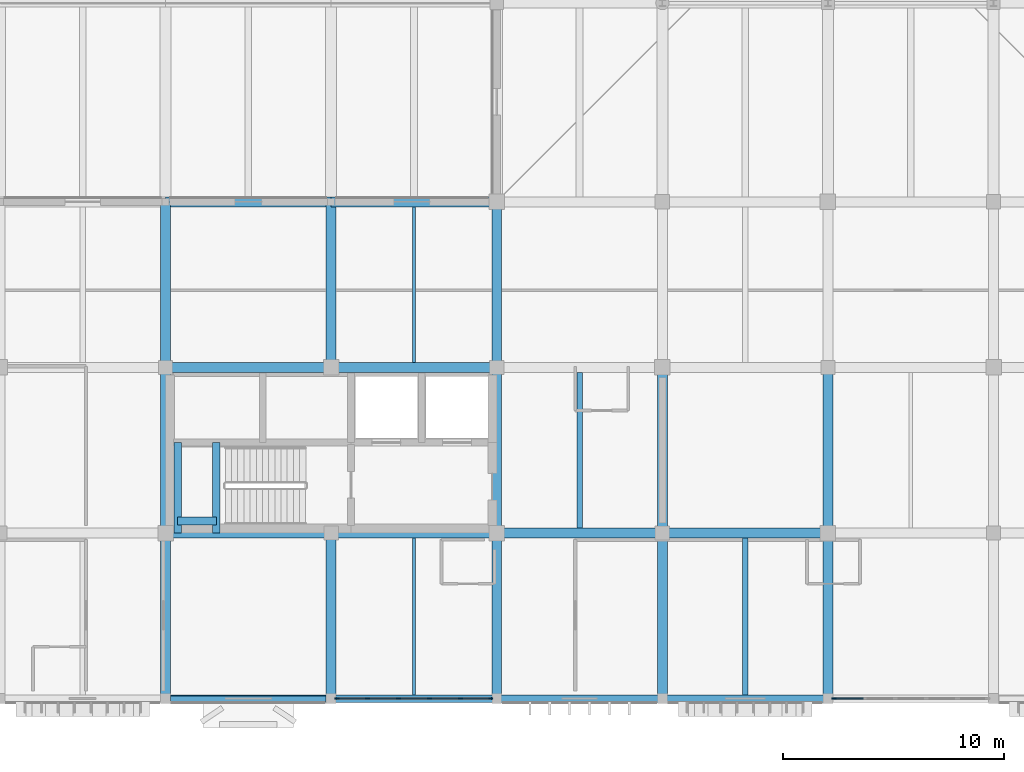
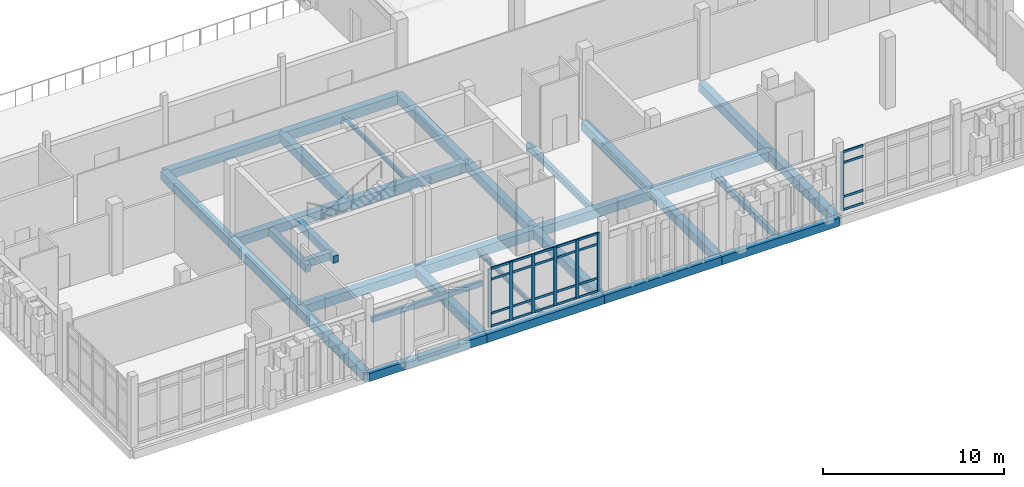
# One storey, part 63 of 131: 32 beams, 31 members, 2 elements without a shape of their own.
"""IFC4 building model written with IfcOpenShell, lengths in metres."""

from ifc_helpers import new_model, si_unit, direction, frame, origin, origin_2d, place, context, subcontext, project, spatial, rectangle, i_section, extrude, material, layer, layer_set, material_profile, profile_set, type_object, element, aggregate, save


model = new_model("IFC4")

# Units and contexts
model_context = context("Model", 3, precision=1e-05, world=origin(), true_north=direction((0.0, 1.0)))
body_context = subcontext(model_context, "Body", "Model", "MODEL_VIEW")
ifc_project = project(units=[si_unit("LENGTHUNIT", "METRE"), si_unit("AREAUNIT", "SQUARE_METRE"), si_unit("VOLUMEUNIT", "CUBIC_METRE"), si_unit("PLANEANGLEUNIT", "RADIAN"), si_unit("MASSUNIT", "GRAM", prefix="KILO")], contexts=[model_context])

# Site, building, storey
site_placement = place(None, origin())
site = spatial("IfcSite", under=ifc_project, at=site_placement, CompositionType="ELEMENT")
building_placement = place(site_placement, origin())
building = spatial("IfcBuilding", under=site, at=building_placement, Name="Dalvernix Boulevard General Hospital", CompositionType="ELEMENT")
storey_placement = place(building_placement, frame((0.0, 0.0, 9.300048828125)))
storey = spatial("IfcBuildingStorey", under=building, at=storey_placement, Name="L02", CompositionType="ELEMENT", Elevation=9.300048828125)

# Beams
ifc_material_1 = material(Name="Concrete C35/45", Category="concrete")
ifc_material_profile_1 = material_profile(ifc_material_1, rectangle(XDim=0.449951171875, YDim=0.64990234375, at=origin_2d()), Name="RCB 450x650")
ifc_profile_set_1 = profile_set([ifc_material_profile_1], Name="Concrete C35/45")
beam_type_1 = type_object("IfcBeamType", Name="BM-B-03-I", PredefinedType="BEAM", material=ifc_profile_set_1)
for number, where, z_axis, x_axis, name in (
    (1, (135.0, 7.5, -0.64501953125), (1.0, 0.0, 0.0), (0.0, 1.0, 0.0), "L02 E-W girder B:19-20"),
    (2, (150.0, 7.5, -0.64501953125), (1.0, 0.0, 0.0), (0.0, 1.0, 0.0), "L02 E-W girder B:21-22"),
    (3, (135.0, 15.0, -0.64501953125), (1.0, 0.0, 0.0), (0.0, 1.0, 0.0), "L02 E-W girder C:19-20"),
    (4, (135.0, 22.5, -0.64501953125), (1.0, 0.0, 0.0), (0.0, 1.0, 0.0), "L02 E-W girder D:19-20"),
):
    element("IfcBeam", number, at=place(storey_placement, frame(where, z_axis=z_axis, x_axis=x_axis)), inside=storey, type_object=beam_type_1, Name=name, PredefinedType="BEAM", context=body_context, shape_type="SweptSolid", body=[
        extrude(rectangle(XDim=0.449951171875, YDim=0.64990234375, at=origin_2d()), origin(), (0.0, 0.0, 1.0), 7.5),
    ])
ifc_material_profile_2 = material_profile(ifc_material_1, rectangle(XDim=0.449951171875, YDim=0.60009765625, at=origin_2d()), Name="RCB 450x600")
ifc_profile_set_2 = profile_set([ifc_material_profile_2], Name="Concrete C35/45")
beam_type_2 = type_object("IfcBeamType", Name="BM-B-04-I", PredefinedType="BEAM", material=ifc_profile_set_2)
for number, where, z_axis, x_axis, name in (
    (5, (127.5, 7.5, -0.6201171875), (1.0, 0.0, 0.0), (0.0, 1.0, 0.0), "L02 E-W girder B:18-19"),
    (6, (142.5, 7.5, -0.6201171875), (1.0, 0.0, 0.0), (0.0, 1.0, 0.0), "L02 E-W girder B:20-21"),
    (7, (127.5, 15.0, -0.6201171875), (1.0, 0.0, 0.0), (0.0, 1.0, 0.0), "L02 E-W girder C:18-19"),
    (8, (127.5, 22.5, -0.6201171875), (1.0, 0.0, 0.0), (0.0, 1.0, 0.0), "L02 E-W girder D:18-19"),
    (9, (127.5, 0.0, -0.6201171875), (0.0, 1.0, 0.0), (-1.0, 0.0, 0.0), "L02 N-S girder 18:A-B"),
    (10, (127.5, 7.5, -0.6201171875), (0.0, 1.0, 0.0), (-1.0, 0.0, 0.0), "L02 N-S girder 18:B-C"),
    (11, (127.5, 15.0, -0.6201171875), (0.0, 1.0, 0.0), (-1.0, 0.0, 0.0), "L02 N-S girder 18:C-D"),
    (12, (135.0, 0.0, -0.6201171875), (0.0, 1.0, 0.0), (-1.0, 0.0, 0.0), "L02 N-S girder 19:A-B"),
    (13, (135.0, 15.0, -0.6201171875), (0.0, 1.0, 0.0), (-1.0, 0.0, 0.0), "L02 N-S girder 19:C-D"),
    (14, (142.5, 0.0, -0.6201171875), (0.0, 1.0, 0.0), (-1.0, 0.0, 0.0), "L02 N-S girder 20:A-B"),
    (15, (142.5, 7.5, -0.6201171875), (0.0, 1.0, 0.0), (-1.0, 0.0, 0.0), "L02 N-S girder 20:B-C"),
    (16, (142.5, 15.0, -0.6201171875), (0.0, 1.0, 0.0), (-1.0, 0.0, 0.0), "L02 N-S girder 20:C-D"),
    (17, (150.0, 0.0, -0.6201171875), (0.0, 1.0, 0.0), (-1.0, 0.0, 0.0), "L02 N-S girder 21:A-B"),
    (18, (150.0, 7.5, -0.6201171875), (0.0, 1.0, 0.0), (-1.0, 0.0, 0.0), "L02 N-S girder 21:B-C"),
    (19, (157.5, 0.0, -0.6201171875), (0.0, 1.0, 0.0), (-1.0, 0.0, 0.0), "L02 N-S girder 22:A-B"),
    (20, (157.5, 7.5, -0.6201171875), (0.0, 1.0, 0.0), (-1.0, 0.0, 0.0), "L02 N-S girder 22:B-C"),
):
    element("IfcBeam", number, at=place(storey_placement, frame(where, z_axis=z_axis, x_axis=x_axis)), inside=storey, type_object=beam_type_2, Name=name, PredefinedType="BEAM", context=body_context, shape_type="SweptSolid", body=[
        extrude(rectangle(XDim=0.449951171875, YDim=0.60009765625, at=origin_2d()), origin(), (0.0, 0.0, 1.0), 7.5),
    ])
ifc_material_profile_3 = material_profile(ifc_material_1, rectangle(XDim=0.35009765625, YDim=0.5, at=origin_2d()), Name="RCB 350x500")
ifc_profile_set_3 = profile_set([ifc_material_profile_3], Name="Concrete C35/45")
beam_type_3 = type_object("IfcBeamType", Name="BM-B-08", PredefinedType="BEAM", material=ifc_profile_set_3)
for number, where, z_axis, x_axis, name in (
    (21, (128.050048828125, 7.5, 1.949951171875), (0.0, 1.0, 0.0), (-1.0, 0.0, 0.0), "L02 C5 stair half-landing beam 1"),
    (22, (129.800048828125, 7.5, 1.949951171875), (0.0, 1.0, 0.0), (-1.0, 0.0, 0.0), "L02 C5 stair half-landing beam 2"),
):
    element("IfcBeam", number, at=place(storey_placement, frame(where, z_axis=z_axis, x_axis=x_axis)), inside=storey, type_object=beam_type_3, Name=name, PredefinedType="BEAM", context=body_context, shape_type="SweptSolid", body=[
        extrude(rectangle(XDim=0.35009765625, YDim=0.5, at=origin_2d()), origin(), (0.0, 0.0, 1.0), 4.10009765625),
    ])
beam_1_placement = place(storey_placement, frame((128.050048828125, 8.050048828125, 1.949951171875), z_axis=(1.0, 0.0, 0.0), x_axis=(0.0, 1.0, 0.0)))
element("IfcBeam", 23, at=beam_1_placement, inside=storey, type_object=beam_type_3, Name="L02 C5 stair half-landing tie beam", PredefinedType="BEAM", context=body_context, shape_type="SweptSolid", body=[
    extrude(rectangle(XDim=0.35009765625, YDim=0.5, at=origin_2d()), origin(), (0.0, 0.0, 1.0), 1.75),
])
ifc_material_profile_4 = material_profile(ifc_material_1, rectangle(XDim=0.25, YDim=0.39990234375, at=origin_2d()), Name="RCB 250x400")
ifc_profile_set_4 = profile_set([ifc_material_profile_4], Name="Concrete C35/45")
beam_type_4 = type_object("IfcBeamType", Name="BM-JB-02", PredefinedType="JOIST", material=ifc_profile_set_4)
beam_2_placement = place(storey_placement, frame((146.25, 7.72509765625, -0.52001953125), z_axis=(0.0, 1.0, 0.0), x_axis=(-1.0, 0.0, 0.0)))
element("IfcBeam", 24, at=beam_2_placement, inside=storey, type_object=beam_type_4, Name="L02 secondary floor beam 20-B", PredefinedType="JOIST", context=body_context, shape_type="SweptSolid", body=[
    extrude(rectangle(XDim=0.25, YDim=0.39990234375, at=origin_2d()), origin(), (0.0, 0.0, 1.0), 7.0498046875),
])
beam_3_placement = place(storey_placement, frame((153.75, 0.175048828125, -0.52001953125), z_axis=(0.0, 1.0, 0.0), x_axis=(-1.0, 0.0, 0.0)))
element("IfcBeam", 25, at=beam_3_placement, inside=storey, type_object=beam_type_4, Name="L02 secondary floor beam 21-A", PredefinedType="JOIST", context=body_context, shape_type="SweptSolid", body=[
    extrude(rectangle(XDim=0.25, YDim=0.39990234375, at=origin_2d()), origin(), (0.0, 0.0, 1.0), 7.099853515625),
])
ifc_material_2 = material(Name="Steel S355", Category="steel")
ifc_material_profile_5 = material_profile(ifc_material_2, i_section(OverallWidth=0.14990234375, OverallDepth=0.300048828125, WebThickness=0.007080078125, FlangeThickness=0.0107421875, FilletRadius=0.014892578125, at=origin_2d()), Name="IPE 300")
ifc_profile_set_5 = profile_set([ifc_material_profile_5], Name="Steel S355")
beam_type_5 = type_object("IfcBeamType", Name="BM-JB-03", PredefinedType="JOIST", material=ifc_profile_set_5)
beam_4_placement = place(storey_placement, frame((138.75, 0.175048828125, -0.469970703125), z_axis=(0.0, 1.0, 0.0), x_axis=(-1.0, 0.0, 0.0)))
element("IfcBeam", 26, at=beam_4_placement, inside=storey, type_object=beam_type_5, Name="L02 secondary floor beam 19-A", PredefinedType="JOIST", context=body_context, shape_type="SweptSolid", body=[
    extrude(i_section(OverallWidth=0.14990234375, OverallDepth=0.300048828125, WebThickness=0.007080078125, FlangeThickness=0.0107421875, FilletRadius=0.014892578125, at=origin_2d()), origin(), (0.0, 0.0, 1.0), 7.099853515625),
])
beam_5_placement = place(storey_placement, frame((138.75, 15.22509765625, -0.469970703125), z_axis=(0.0, 1.0, 0.0), x_axis=(-1.0, 0.0, 0.0)))
element("IfcBeam", 27, at=beam_5_placement, inside=storey, type_object=beam_type_5, Name="L02 secondary floor beam 19-C", PredefinedType="JOIST", context=body_context, shape_type="SweptSolid", body=[
    extrude(i_section(OverallWidth=0.14990234375, OverallDepth=0.300048828125, WebThickness=0.007080078125, FlangeThickness=0.0107421875, FilletRadius=0.014892578125, at=origin_2d()), origin(), (0.0, 0.0, 1.0), 7.0498046875),
])
ifc_material_3 = material(Name="Precast concrete C40/50", Category="concrete")
ifc_material_profile_6 = material_profile(ifc_material_3, rectangle(XDim=0.25, YDim=0.320068359375, at=origin_2d()), Name="RCL 250x320")
ifc_profile_set_6 = profile_set([ifc_material_profile_6], Name="Precast concrete C40/50")
beam_type_6 = type_object("IfcBeamType", Name="BM-LB-01", PredefinedType="LINTEL", material=ifc_profile_set_6)
beam_6_placement = place(storey_placement, frame((134.764892578125, 0.0, 3.159912109375), z_axis=(-1.0, 0.0, 0.0), x_axis=(0.0, -1.0, 0.0)))
element("IfcBeam", 28, at=beam_6_placement, inside=storey, type_object=beam_type_6, Name="L02 precast window lintel S 17-0", PredefinedType="LINTEL", context=body_context, shape_type="SweptSolid", body=[
    extrude(rectangle(XDim=0.25, YDim=0.320068359375, at=origin_2d()), origin(), (0.0, 0.0, 1.0), 7.02978515625),
])
ifc_material_profile_7 = material_profile(ifc_material_1, rectangle(XDim=0.35009765625, YDim=0.550048828125, at=origin_2d()), Name="RCB 350x550")
ifc_profile_set_7 = profile_set([ifc_material_profile_7], Name="Concrete C35/45")
beam_type_7 = type_object("IfcBeamType", Name="BM-SB-01-E", PredefinedType="SPANDREL", material=ifc_profile_set_7)
for number, where, z_axis, x_axis, name in (
    (29, (127.5, 0.0, -0.594970703125), (1.0, 0.0, 0.0), (0.0, 1.0, 0.0), "L02 E-W girder A:18-19"),
    (30, (135.0, 0.0, -0.594970703125), (1.0, 0.0, 0.0), (0.0, 1.0, 0.0), "L02 E-W girder A:19-20"),
    (31, (142.5, 0.0, -0.594970703125), (1.0, 0.0, 0.0), (0.0, 1.0, 0.0), "L02 E-W girder A:20-21"),
    (32, (150.0, 0.0, -0.594970703125), (1.0, 0.0, 0.0), (0.0, 1.0, 0.0), "L02 E-W girder A:21-22"),
):
    element("IfcBeam", number, at=place(storey_placement, frame(where, z_axis=z_axis, x_axis=x_axis)), inside=storey, type_object=beam_type_7, Name=name, PredefinedType="SPANDREL", context=body_context, shape_type="SweptSolid", body=[
        extrude(rectangle(XDim=0.35009765625, YDim=0.550048828125, at=origin_2d()), origin(), (0.0, 0.0, 1.0), 7.5),
    ])

# Curtain wall, members
ifc_material_4 = material(Name="Thermally broken aluminium and solar-control glass curtain wall", Category="aluminium")
ifc_layer = layer(ifc_material_4, 0.199951171875)
ifc_layer_set = layer_set([ifc_layer], Name="Thermally broken aluminium and solar-control glass curtain wall (CW-CW-C-70x40)")
curtain_wall_type = type_object("IfcCurtainWallType", Name="CW-CW-C-70x40", PredefinedType="USERDEFINED", material=ifc_layer_set)
curtain_wall_1_placement = place(storey_placement, origin())
curtain_wall_1 = element("IfcCurtainWall", 33, at=curtain_wall_1_placement, inside=storey, type_object=curtain_wall_type, Name="L02 curtain wall CW-C-70x40 18-0", ObjectType="GLAZED FACADE", PredefinedType="USERDEFINED")
ifc_material_5 = material(Name="Aluminium EN AW-6060", Category="aluminium")
ifc_material_profile_8 = material_profile(ifc_material_5, rectangle(XDim=0.070068359375, YDim=0.199951171875, at=origin_2d()), Name="ALU MULL 70x200")
ifc_profile_set_8 = profile_set([ifc_material_profile_8], Name="Aluminium EN AW-6060")
member_type_1 = type_object("IfcMemberType", Name="MEM-CW-M3", PredefinedType="MULLION", material=ifc_profile_set_8)
member_1_placement = place(storey_placement, frame((142.22998046875, 0.0, 0.0), z_axis=(0.0, 0.0, 1.0), x_axis=(0.0, -1.0, 0.0)))
member_1 = element("IfcMember", 34, at=member_1_placement, type_object=member_type_1, Name="CW-C-70x40 mullion 1", PredefinedType="MULLION", context=body_context, shape_type="SweptSolid", body=[
    extrude(rectangle(XDim=0.070068359375, YDim=0.199951171875, at=origin_2d()), origin(), (0.0, 0.0, 1.0), 3.949951171875),
])
member_2_placement = place(storey_placement, frame((140.85888671875, 0.0, 0.0), z_axis=(0.0, 0.0, 1.0), x_axis=(0.0, -1.0, 0.0)))
member_2 = element("IfcMember", 35, at=member_2_placement, type_object=member_type_1, Name="CW-C-70x40 mullion 2", PredefinedType="MULLION", context=body_context, shape_type="SweptSolid", body=[
    extrude(rectangle(XDim=0.070068359375, YDim=0.199951171875, at=origin_2d()), origin(), (0.0, 0.0, 1.0), 3.949951171875),
])
member_3_placement = place(storey_placement, frame((139.452880859375, 0.0, 0.0), z_axis=(0.0, 0.0, 1.0), x_axis=(0.0, -1.0, 0.0)))
member_3 = element("IfcMember", 36, at=member_3_placement, type_object=member_type_1, Name="CW-C-70x40 mullion 3", PredefinedType="MULLION", context=body_context, shape_type="SweptSolid", body=[
    extrude(rectangle(XDim=0.070068359375, YDim=0.199951171875, at=origin_2d()), origin(), (0.0, 0.0, 1.0), 3.949951171875),
])
member_4_placement = place(storey_placement, frame((138.047119140625, 0.0, 0.0), z_axis=(0.0, 0.0, 1.0), x_axis=(0.0, -1.0, 0.0)))
member_4 = element("IfcMember", 37, at=member_4_placement, type_object=member_type_1, Name="CW-C-70x40 mullion 4", PredefinedType="MULLION", context=body_context, shape_type="SweptSolid", body=[
    extrude(rectangle(XDim=0.070068359375, YDim=0.199951171875, at=origin_2d()), origin(), (0.0, 0.0, 1.0), 3.949951171875),
])
member_5_placement = place(storey_placement, frame((136.64111328125, 0.0, 0.0), z_axis=(0.0, 0.0, 1.0), x_axis=(0.0, -1.0, 0.0)))
member_5 = element("IfcMember", 38, at=member_5_placement, type_object=member_type_1, Name="CW-C-70x40 mullion 5", PredefinedType="MULLION", context=body_context, shape_type="SweptSolid", body=[
    extrude(rectangle(XDim=0.070068359375, YDim=0.199951171875, at=origin_2d()), origin(), (0.0, 0.0, 1.0), 3.949951171875),
])
member_6_placement = place(storey_placement, frame((135.27001953125, 0.0, 0.0), z_axis=(0.0, 0.0, 1.0), x_axis=(0.0, -1.0, 0.0)))
member_6 = element("IfcMember", 39, at=member_6_placement, type_object=member_type_1, Name="CW-C-70x40 mullion 6", PredefinedType="MULLION", context=body_context, shape_type="SweptSolid", body=[
    extrude(rectangle(XDim=0.070068359375, YDim=0.199951171875, at=origin_2d()), origin(), (0.0, 0.0, 1.0), 3.949951171875),
])

# Curtain wall, member
curtain_wall_2_placement = place(storey_placement, origin())
curtain_wall_2 = element("IfcCurtainWall", 40, at=curtain_wall_2_placement, inside=storey, type_object=curtain_wall_type, Name="L02 curtain wall CW-C-70x40 21-0", ObjectType="GLAZED FACADE", PredefinedType="USERDEFINED")
member_7_placement = place(storey_placement, frame((157.77001953125, 0.0, 0.0), z_axis=(0.0, 0.0, 1.0), x_axis=(0.0, -1.0, 0.0)))
member_7 = element("IfcMember", 41, at=member_7_placement, type_object=member_type_1, Name="CW-C-70x40 mullion 6", PredefinedType="MULLION", context=body_context, shape_type="SweptSolid", body=[
    extrude(rectangle(XDim=0.070068359375, YDim=0.199951171875, at=origin_2d()), origin(), (0.0, 0.0, 1.0), 3.949951171875),
])

# Member
ifc_material_profile_9 = material_profile(ifc_material_5, rectangle(XDim=0.070068359375, YDim=0.14990234375, at=origin_2d()), Name="ALU TRAN 70x150")
ifc_profile_set_9 = profile_set([ifc_material_profile_9], Name="Aluminium EN AW-6060")
member_type_2 = type_object("IfcMemberType", Name="MEM-CW-T3", PredefinedType="USERDEFINED", material=ifc_profile_set_9)
member_8_placement = place(storey_placement, frame((142.195068359375, 0.0, 0.034912109375), z_axis=(-1.0, 0.0, 0.0), x_axis=(0.0, -1.0, 0.0)))
member_8 = element("IfcMember", 42, at=member_8_placement, type_object=member_type_2, Name="CW-C-70x40 transom 1.1", ObjectType="TRANSOM", PredefinedType="USERDEFINED", context=body_context, shape_type="SweptSolid", body=[
    extrude(rectangle(XDim=0.070068359375, YDim=0.14990234375, at=origin_2d()), origin(), (0.0, 0.0, 1.0), 1.301025390625),
])

member_9_placement = place(storey_placement, frame((142.195068359375, 0.0, 0.89990234375), z_axis=(-1.0, 0.0, 0.0), x_axis=(0.0, -1.0, 0.0)))
member_9 = element("IfcMember", 43, at=member_9_placement, type_object=member_type_2, Name="CW-C-70x40 transom 1.2", ObjectType="TRANSOM", PredefinedType="USERDEFINED", context=body_context, shape_type="SweptSolid", body=[
    extrude(rectangle(XDim=0.070068359375, YDim=0.14990234375, at=origin_2d()), origin(), (0.0, 0.0, 1.0), 1.301025390625),
])

member_10_placement = place(storey_placement, frame((142.195068359375, 0.0, 3.199951171875), z_axis=(-1.0, 0.0, 0.0), x_axis=(0.0, -1.0, 0.0)))
member_10 = element("IfcMember", 44, at=member_10_placement, type_object=member_type_2, Name="CW-C-70x40 transom 1.3", ObjectType="TRANSOM", PredefinedType="USERDEFINED", context=body_context, shape_type="SweptSolid", body=[
    extrude(rectangle(XDim=0.070068359375, YDim=0.14990234375, at=origin_2d()), origin(), (0.0, 0.0, 1.0), 1.301025390625),
])

member_11_placement = place(storey_placement, frame((142.195068359375, 0.0, 3.9150390625), z_axis=(-1.0, 0.0, 0.0), x_axis=(0.0, -1.0, 0.0)))
member_11 = element("IfcMember", 45, at=member_11_placement, type_object=member_type_2, Name="CW-C-70x40 transom 1.4", ObjectType="TRANSOM", PredefinedType="USERDEFINED", context=body_context, shape_type="SweptSolid", body=[
    extrude(rectangle(XDim=0.070068359375, YDim=0.14990234375, at=origin_2d()), origin(), (0.0, 0.0, 1.0), 1.301025390625),
])

member_12_placement = place(storey_placement, frame((140.823974609375, 0.0, 0.034912109375), z_axis=(-1.0, 0.0, 0.0), x_axis=(0.0, -1.0, 0.0)))
member_12 = element("IfcMember", 46, at=member_12_placement, type_object=member_type_2, Name="CW-C-70x40 transom 2.1", ObjectType="TRANSOM", PredefinedType="USERDEFINED", context=body_context, shape_type="SweptSolid", body=[
    extrude(rectangle(XDim=0.070068359375, YDim=0.14990234375, at=origin_2d()), origin(), (0.0, 0.0, 1.0), 1.3359375),
])

member_13_placement = place(storey_placement, frame((140.823974609375, 0.0, 0.89990234375), z_axis=(-1.0, 0.0, 0.0), x_axis=(0.0, -1.0, 0.0)))
member_13 = element("IfcMember", 47, at=member_13_placement, type_object=member_type_2, Name="CW-C-70x40 transom 2.2", ObjectType="TRANSOM", PredefinedType="USERDEFINED", context=body_context, shape_type="SweptSolid", body=[
    extrude(rectangle(XDim=0.070068359375, YDim=0.14990234375, at=origin_2d()), origin(), (0.0, 0.0, 1.0), 1.3359375),
])

member_14_placement = place(storey_placement, frame((140.823974609375, 0.0, 3.199951171875), z_axis=(-1.0, 0.0, 0.0), x_axis=(0.0, -1.0, 0.0)))
member_14 = element("IfcMember", 48, at=member_14_placement, type_object=member_type_2, Name="CW-C-70x40 transom 2.3", ObjectType="TRANSOM", PredefinedType="USERDEFINED", context=body_context, shape_type="SweptSolid", body=[
    extrude(rectangle(XDim=0.070068359375, YDim=0.14990234375, at=origin_2d()), origin(), (0.0, 0.0, 1.0), 1.3359375),
])

member_15_placement = place(storey_placement, frame((140.823974609375, 0.0, 3.9150390625), z_axis=(-1.0, 0.0, 0.0), x_axis=(0.0, -1.0, 0.0)))
member_15 = element("IfcMember", 49, at=member_15_placement, type_object=member_type_2, Name="CW-C-70x40 transom 2.4", ObjectType="TRANSOM", PredefinedType="USERDEFINED", context=body_context, shape_type="SweptSolid", body=[
    extrude(rectangle(XDim=0.070068359375, YDim=0.14990234375, at=origin_2d()), origin(), (0.0, 0.0, 1.0), 1.3359375),
])

member_16_placement = place(storey_placement, frame((139.41796875, 0.0, 0.034912109375), z_axis=(-1.0, 0.0, 0.0), x_axis=(0.0, -1.0, 0.0)))
member_16 = element("IfcMember", 50, at=member_16_placement, type_object=member_type_2, Name="CW-C-70x40 transom 3.1", ObjectType="TRANSOM", PredefinedType="USERDEFINED", context=body_context, shape_type="SweptSolid", body=[
    extrude(rectangle(XDim=0.070068359375, YDim=0.14990234375, at=origin_2d()), origin(), (0.0, 0.0, 1.0), 1.3359375),
])

member_17_placement = place(storey_placement, frame((139.41796875, 0.0, 0.89990234375), z_axis=(-1.0, 0.0, 0.0), x_axis=(0.0, -1.0, 0.0)))
member_17 = element("IfcMember", 51, at=member_17_placement, type_object=member_type_2, Name="CW-C-70x40 transom 3.2", ObjectType="TRANSOM", PredefinedType="USERDEFINED", context=body_context, shape_type="SweptSolid", body=[
    extrude(rectangle(XDim=0.070068359375, YDim=0.14990234375, at=origin_2d()), origin(), (0.0, 0.0, 1.0), 1.3359375),
])

member_18_placement = place(storey_placement, frame((139.41796875, 0.0, 3.199951171875), z_axis=(-1.0, 0.0, 0.0), x_axis=(0.0, -1.0, 0.0)))
member_18 = element("IfcMember", 52, at=member_18_placement, type_object=member_type_2, Name="CW-C-70x40 transom 3.3", ObjectType="TRANSOM", PredefinedType="USERDEFINED", context=body_context, shape_type="SweptSolid", body=[
    extrude(rectangle(XDim=0.070068359375, YDim=0.14990234375, at=origin_2d()), origin(), (0.0, 0.0, 1.0), 1.3359375),
])

member_19_placement = place(storey_placement, frame((139.41796875, 0.0, 3.9150390625), z_axis=(-1.0, 0.0, 0.0), x_axis=(0.0, -1.0, 0.0)))
member_19 = element("IfcMember", 53, at=member_19_placement, type_object=member_type_2, Name="CW-C-70x40 transom 3.4", ObjectType="TRANSOM", PredefinedType="USERDEFINED", context=body_context, shape_type="SweptSolid", body=[
    extrude(rectangle(XDim=0.070068359375, YDim=0.14990234375, at=origin_2d()), origin(), (0.0, 0.0, 1.0), 1.3359375),
])

member_20_placement = place(storey_placement, frame((138.011962890625, 0.0, 0.034912109375), z_axis=(-1.0, 0.0, 0.0), x_axis=(0.0, -1.0, 0.0)))
member_20 = element("IfcMember", 54, at=member_20_placement, type_object=member_type_2, Name="CW-C-70x40 transom 4.1", ObjectType="TRANSOM", PredefinedType="USERDEFINED", context=body_context, shape_type="SweptSolid", body=[
    extrude(rectangle(XDim=0.070068359375, YDim=0.14990234375, at=origin_2d()), origin(), (0.0, 0.0, 1.0), 1.3359375),
])

member_21_placement = place(storey_placement, frame((138.011962890625, 0.0, 0.89990234375), z_axis=(-1.0, 0.0, 0.0), x_axis=(0.0, -1.0, 0.0)))
member_21 = element("IfcMember", 55, at=member_21_placement, type_object=member_type_2, Name="CW-C-70x40 transom 4.2", ObjectType="TRANSOM", PredefinedType="USERDEFINED", context=body_context, shape_type="SweptSolid", body=[
    extrude(rectangle(XDim=0.070068359375, YDim=0.14990234375, at=origin_2d()), origin(), (0.0, 0.0, 1.0), 1.3359375),
])

member_22_placement = place(storey_placement, frame((138.011962890625, 0.0, 3.199951171875), z_axis=(-1.0, 0.0, 0.0), x_axis=(0.0, -1.0, 0.0)))
member_22 = element("IfcMember", 56, at=member_22_placement, type_object=member_type_2, Name="CW-C-70x40 transom 4.3", ObjectType="TRANSOM", PredefinedType="USERDEFINED", context=body_context, shape_type="SweptSolid", body=[
    extrude(rectangle(XDim=0.070068359375, YDim=0.14990234375, at=origin_2d()), origin(), (0.0, 0.0, 1.0), 1.3359375),
])

member_23_placement = place(storey_placement, frame((138.011962890625, 0.0, 3.9150390625), z_axis=(-1.0, 0.0, 0.0), x_axis=(0.0, -1.0, 0.0)))
member_23 = element("IfcMember", 57, at=member_23_placement, type_object=member_type_2, Name="CW-C-70x40 transom 4.4", ObjectType="TRANSOM", PredefinedType="USERDEFINED", context=body_context, shape_type="SweptSolid", body=[
    extrude(rectangle(XDim=0.070068359375, YDim=0.14990234375, at=origin_2d()), origin(), (0.0, 0.0, 1.0), 1.3359375),
])

member_24_placement = place(storey_placement, frame((136.60595703125, 0.0, 0.034912109375), z_axis=(-1.0, 0.0, 0.0), x_axis=(0.0, -1.0, 0.0)))
member_24 = element("IfcMember", 58, at=member_24_placement, type_object=member_type_2, Name="CW-C-70x40 transom 5.1", ObjectType="TRANSOM", PredefinedType="USERDEFINED", context=body_context, shape_type="SweptSolid", body=[
    extrude(rectangle(XDim=0.070068359375, YDim=0.14990234375, at=origin_2d()), origin(), (0.0, 0.0, 1.0), 1.301025390625),
])

member_25_placement = place(storey_placement, frame((136.60595703125, 0.0, 0.89990234375), z_axis=(-1.0, 0.0, 0.0), x_axis=(0.0, -1.0, 0.0)))
member_25 = element("IfcMember", 59, at=member_25_placement, type_object=member_type_2, Name="CW-C-70x40 transom 5.2", ObjectType="TRANSOM", PredefinedType="USERDEFINED", context=body_context, shape_type="SweptSolid", body=[
    extrude(rectangle(XDim=0.070068359375, YDim=0.14990234375, at=origin_2d()), origin(), (0.0, 0.0, 1.0), 1.301025390625),
])

member_26_placement = place(storey_placement, frame((136.60595703125, 0.0, 3.199951171875), z_axis=(-1.0, 0.0, 0.0), x_axis=(0.0, -1.0, 0.0)))
member_26 = element("IfcMember", 60, at=member_26_placement, type_object=member_type_2, Name="CW-C-70x40 transom 5.3", ObjectType="TRANSOM", PredefinedType="USERDEFINED", context=body_context, shape_type="SweptSolid", body=[
    extrude(rectangle(XDim=0.070068359375, YDim=0.14990234375, at=origin_2d()), origin(), (0.0, 0.0, 1.0), 1.301025390625),
])

member_27_placement = place(storey_placement, frame((136.60595703125, 0.0, 3.9150390625), z_axis=(-1.0, 0.0, 0.0), x_axis=(0.0, -1.0, 0.0)))
member_27 = element("IfcMember", 61, at=member_27_placement, type_object=member_type_2, Name="CW-C-70x40 transom 5.4", ObjectType="TRANSOM", PredefinedType="USERDEFINED", context=body_context, shape_type="SweptSolid", body=[
    extrude(rectangle(XDim=0.070068359375, YDim=0.14990234375, at=origin_2d()), origin(), (0.0, 0.0, 1.0), 1.301025390625),
])

aggregate(curtain_wall_1, [member_1, member_2, member_3, member_4, member_5, member_6, member_8, member_9, member_10, member_11, member_12, member_13, member_14, member_15, member_16, member_17, member_18, member_19, member_20, member_21, member_22, member_23, member_24, member_25, member_26, member_27])

member_28_placement = place(storey_placement, frame((159.10595703125, 0.0, 0.034912109375), z_axis=(-1.0, 0.0, 0.0), x_axis=(0.0, -1.0, 0.0)))
member_28 = element("IfcMember", 62, at=member_28_placement, type_object=member_type_2, Name="CW-C-70x40 transom 5.1", ObjectType="TRANSOM", PredefinedType="USERDEFINED", context=body_context, shape_type="SweptSolid", body=[
    extrude(rectangle(XDim=0.070068359375, YDim=0.14990234375, at=origin_2d()), origin(), (0.0, 0.0, 1.0), 1.301025390625),
])

member_29_placement = place(storey_placement, frame((159.10595703125, 0.0, 0.89990234375), z_axis=(-1.0, 0.0, 0.0), x_axis=(0.0, -1.0, 0.0)))
member_29 = element("IfcMember", 63, at=member_29_placement, type_object=member_type_2, Name="CW-C-70x40 transom 5.2", ObjectType="TRANSOM", PredefinedType="USERDEFINED", context=body_context, shape_type="SweptSolid", body=[
    extrude(rectangle(XDim=0.070068359375, YDim=0.14990234375, at=origin_2d()), origin(), (0.0, 0.0, 1.0), 1.301025390625),
])

member_30_placement = place(storey_placement, frame((159.10595703125, 0.0, 3.199951171875), z_axis=(-1.0, 0.0, 0.0), x_axis=(0.0, -1.0, 0.0)))
member_30 = element("IfcMember", 64, at=member_30_placement, type_object=member_type_2, Name="CW-C-70x40 transom 5.3", ObjectType="TRANSOM", PredefinedType="USERDEFINED", context=body_context, shape_type="SweptSolid", body=[
    extrude(rectangle(XDim=0.070068359375, YDim=0.14990234375, at=origin_2d()), origin(), (0.0, 0.0, 1.0), 1.301025390625),
])

member_31_placement = place(storey_placement, frame((159.10595703125, 0.0, 3.9150390625), z_axis=(-1.0, 0.0, 0.0), x_axis=(0.0, -1.0, 0.0)))
member_31 = element("IfcMember", 65, at=member_31_placement, type_object=member_type_2, Name="CW-C-70x40 transom 5.4", ObjectType="TRANSOM", PredefinedType="USERDEFINED", context=body_context, shape_type="SweptSolid", body=[
    extrude(rectangle(XDim=0.070068359375, YDim=0.14990234375, at=origin_2d()), origin(), (0.0, 0.0, 1.0), 1.301025390625),
])

aggregate(curtain_wall_2, [member_7, member_28, member_29, member_30, member_31])

save(model, "model.ifc")
